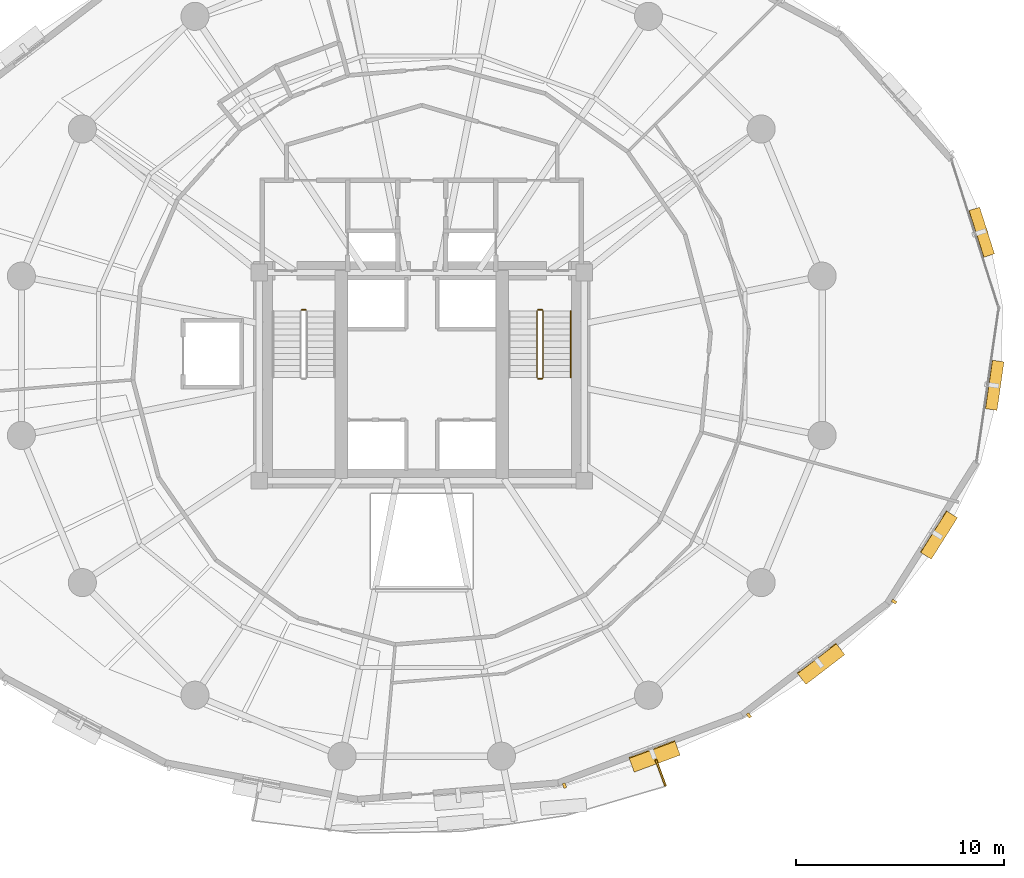
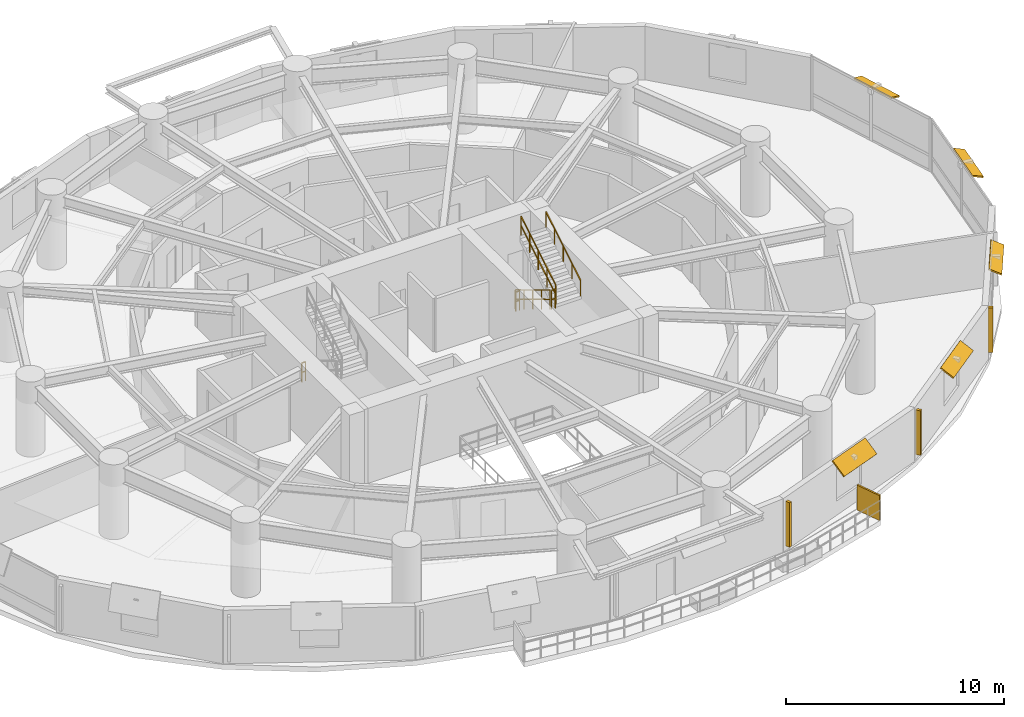
# One storey, part 15 of 16: 9 shading devices, 6 railings.
"""IFC4 building model written with IfcOpenShell, lengths in metres."""

from ifc_helpers import new_model, si_unit, direction, frame, origin, origin_2d, place, context, subcontext, project, spatial, rectangle, extrude, material, layer, layer_set, type_object, element, save


model = new_model("IFC4")

# Units and contexts
model_context = context("Model", 3, precision=1e-05, world=origin(), true_north=direction((0.0, 1.0)))
body_context = subcontext(model_context, "Body", "Model", "MODEL_VIEW")
ifc_project = project(units=[si_unit("LENGTHUNIT", "METRE"), si_unit("AREAUNIT", "SQUARE_METRE"), si_unit("VOLUMEUNIT", "CUBIC_METRE"), si_unit("PLANEANGLEUNIT", "RADIAN"), si_unit("MASSUNIT", "GRAM", prefix="KILO"), si_unit("THERMODYNAMICTEMPERATUREUNIT", "KELVIN"), si_unit("POWERUNIT", "WATT")], contexts=[model_context])

# Site, building, storey
site_placement = place(None, origin())
site = spatial("IfcSite", under=ifc_project, at=site_placement, CompositionType="ELEMENT")
building_placement = place(site_placement, origin())
building = spatial("IfcBuilding", under=site, at=building_placement, Name="Ocrelia Relay Tower", CompositionType="ELEMENT")
storey_placement = place(building_placement, frame((0.0, 0.0, 51.0)))
storey = spatial("IfcBuildingStorey", under=building, at=storey_placement, Name="L11", CompositionType="ELEMENT", Elevation=51.0)

# Railings
ifc_material_1 = material(Name="Steel S355 balustrade", Category="steel")
railing_type_1 = type_object("IfcRailingType", Name="RL-STAIR-GUARD", PredefinedType="GUARDRAIL", material=ifc_material_1)
railing_1_placement = place(storey_placement, frame((28.22998046875, 28.199951171875, 0.0)))
element("IfcRailing", 1, at=railing_1_placement, inside=storey, type_object=railing_type_1, Name="L11 ST1 stair guard 4", PredefinedType="GUARDRAIL", context=body_context, shape_type="SweptSolid", body=[
    extrude(rectangle(XDim=0.048095703125, YDim=0.048095703125, at=origin_2d()), frame((0.0, 0.0, 1.076171875), z_axis=(1.0, 0.0, 0.0), x_axis=(0.0, 1.0, 0.0)), (0.0, 0.0, 1.0), 0.199951171875),
    extrude(rectangle(XDim=0.048095703125, YDim=0.048095703125, at=origin_2d()), frame((0.0, 0.0, 0.550048828125), z_axis=(1.0, 0.0, 0.0), x_axis=(0.0, 1.0, 0.0)), (0.0, 0.0, 1.0), 0.199951171875),
    extrude(rectangle(XDim=0.0419921875, YDim=0.0419921875, at=origin_2d()), origin(), (0.0, 0.0, 1.0), 1.052001953125),
    extrude(rectangle(XDim=0.0419921875, YDim=0.0419921875, at=origin_2d()), frame((0.199951171875, 0.0, 0.0)), (0.0, 0.0, 1.0), 1.052001953125),
])
railing_2_placement = place(storey_placement, frame((39.530029296875, 28.14990234375, 0.175048828125)))
element("IfcRailing", 2, at=railing_2_placement, inside=storey, type_object=railing_type_1, Name="L11 ST2 stair guard 1", PredefinedType="GUARDRAIL", context=body_context, shape_type="SweptSolid", body=[
    extrude(rectangle(XDim=0.048095703125, YDim=0.048095703125, at=origin_2d()), frame((0.0, 0.0, 1.076171875), z_axis=(0.0, -0.856177665481, 0.516681531633), x_axis=(1.0, 0.0, 0.0)), (0.0, 0.0, 1.0), 3.725830078125),
    extrude(rectangle(XDim=0.048095703125, YDim=0.048095703125, at=origin_2d()), frame((0.0, 0.0, 0.550048828125), z_axis=(0.0, -0.856177665481, 0.516681531633), x_axis=(1.0, 0.0, 0.0)), (0.0, 0.0, 1.0), 3.725830078125),
    extrude(rectangle(XDim=0.0419921875, YDim=0.0419921875, at=origin_2d()), origin(), (0.0, 0.0, 1.0), 1.052001953125),
    extrude(rectangle(XDim=0.0419921875, YDim=0.0419921875, at=origin_2d()), frame((0.0, -0.79736328125, 0.481201171875)), (0.0, 0.0, 1.0), 1.052001953125),
    extrude(rectangle(XDim=0.0419921875, YDim=0.0419921875, at=origin_2d()), frame((0.0, -1.594970703125, 0.96240234375)), (0.0, 0.0, 1.0), 1.052001953125),
    extrude(rectangle(XDim=0.0419921875, YDim=0.0419921875, at=origin_2d()), frame((0.0, -2.392578125, 1.44384765625)), (0.0, 0.0, 1.0), 1.052001953125),
    extrude(rectangle(XDim=0.0419921875, YDim=0.0419921875, at=origin_2d()), frame((0.0, -3.18994140625, 1.925048828125)), (0.0, 0.0, 1.0), 1.052001953125),
])
railing_3_placement = place(storey_placement, frame((39.580078125, 24.909912109375, 2.10009765625)))
element("IfcRailing", 3, at=railing_3_placement, inside=storey, type_object=railing_type_1, Name="L11 ST2 stair guard 2", PredefinedType="GUARDRAIL", context=body_context, shape_type="SweptSolid", body=[
    extrude(rectangle(XDim=0.048095703125, YDim=0.048095703125, at=origin_2d()), frame((0.0, 0.0, 1.076171875), z_axis=(1.0, 0.0, 0.0), x_axis=(0.0, 1.0, 0.0)), (0.0, 0.0, 1.0), 0.199951171875),
    extrude(rectangle(XDim=0.048095703125, YDim=0.048095703125, at=origin_2d()), frame((0.0, 0.0, 0.550048828125), z_axis=(1.0, 0.0, 0.0), x_axis=(0.0, 1.0, 0.0)), (0.0, 0.0, 1.0), 0.199951171875),
    extrude(rectangle(XDim=0.0419921875, YDim=0.0419921875, at=origin_2d()), origin(), (0.0, 0.0, 1.0), 1.052001953125),
    extrude(rectangle(XDim=0.0419921875, YDim=0.0419921875, at=origin_2d()), frame((0.199951171875, 0.0, 0.0)), (0.0, 0.0, 1.0), 1.052001953125),
])
railing_4_placement = place(storey_placement, frame((39.830078125, 24.9599609375, 2.27490234375)))
element("IfcRailing", 4, at=railing_4_placement, inside=storey, type_object=railing_type_1, Name="L11 ST2 stair guard 3", PredefinedType="GUARDRAIL", context=body_context, shape_type="SweptSolid", body=[
    extrude(rectangle(XDim=0.048095703125, YDim=0.048095703125, at=origin_2d()), frame((0.0, 0.0, 1.076171875), z_axis=(0.0, 0.856177665481, 0.516681531633), x_axis=(-1.0, 0.0, 0.0)), (0.0, 0.0, 1.0), 3.725830078125),
    extrude(rectangle(XDim=0.048095703125, YDim=0.048095703125, at=origin_2d()), frame((0.0, 0.0, 0.550048828125), z_axis=(0.0, 0.856177665481, 0.516681531633), x_axis=(-1.0, 0.0, 0.0)), (0.0, 0.0, 1.0), 3.725830078125),
    extrude(rectangle(XDim=0.0419921875, YDim=0.0419921875, at=origin_2d()), origin(), (0.0, 0.0, 1.0), 1.052001953125),
    extrude(rectangle(XDim=0.0419921875, YDim=0.0419921875, at=origin_2d()), frame((0.0, 0.79736328125, 0.481201171875)), (0.0, 0.0, 1.0), 1.052001953125),
    extrude(rectangle(XDim=0.0419921875, YDim=0.0419921875, at=origin_2d()), frame((0.0, 1.594970703125, 0.96240234375)), (0.0, 0.0, 1.0), 1.052001953125),
    extrude(rectangle(XDim=0.0419921875, YDim=0.0419921875, at=origin_2d()), frame((0.0, 2.392578125, 1.44384765625)), (0.0, 0.0, 1.0), 1.052001953125),
    extrude(rectangle(XDim=0.0419921875, YDim=0.0419921875, at=origin_2d()), frame((0.0, 3.18994140625, 1.925048828125)), (0.0, 0.0, 1.0), 1.052001953125),
])
railing_5_placement = place(storey_placement, frame((39.580078125, 28.199951171875, 0.0)))
element("IfcRailing", 5, at=railing_5_placement, inside=storey, type_object=railing_type_1, Name="L11 ST2 stair guard 4", PredefinedType="GUARDRAIL", context=body_context, shape_type="SweptSolid", body=[
    extrude(rectangle(XDim=0.048095703125, YDim=0.048095703125, at=origin_2d()), frame((0.0, 0.0, 1.076171875), z_axis=(1.0, 0.0, 0.0), x_axis=(0.0, 1.0, 0.0)), (0.0, 0.0, 1.0), 0.199951171875),
    extrude(rectangle(XDim=0.048095703125, YDim=0.048095703125, at=origin_2d()), frame((0.0, 0.0, 0.550048828125), z_axis=(1.0, 0.0, 0.0), x_axis=(0.0, 1.0, 0.0)), (0.0, 0.0, 1.0), 0.199951171875),
    extrude(rectangle(XDim=0.0419921875, YDim=0.0419921875, at=origin_2d()), origin(), (0.0, 0.0, 1.0), 1.052001953125),
    extrude(rectangle(XDim=0.0419921875, YDim=0.0419921875, at=origin_2d()), frame((0.199951171875, 0.0, 0.0)), (0.0, 0.0, 1.0), 1.052001953125),
])
ifc_material_2 = material(Name="Steel S355 tubular handrail", Category="steel")
railing_type_2 = type_object("IfcRailingType", Name="RL-STAIR-HAND", PredefinedType="HANDRAIL", material=ifc_material_2)
railing_6_placement = place(storey_placement, frame((41.14990234375, 24.9599609375, 2.27490234375)))
element("IfcRailing", 6, at=railing_6_placement, inside=storey, type_object=railing_type_2, Name="L11 ST2 stair handrail 2", PredefinedType="HANDRAIL", context=body_context, shape_type="SweptSolid", body=[
    extrude(rectangle(XDim=0.048095703125, YDim=0.048095703125, at=origin_2d()), frame((0.0, 0.0, 0.8759765625), z_axis=(0.0, 0.856177665481, 0.516681531633), x_axis=(-1.0, 0.0, 0.0)), (0.0, 0.0, 1.0), 3.725830078125),
    extrude(rectangle(XDim=0.0419921875, YDim=0.0419921875, at=origin_2d()), origin(), (0.0, 0.0, 1.0), 0.851806640625),
    extrude(rectangle(XDim=0.0419921875, YDim=0.0419921875, at=origin_2d()), frame((0.0, 0.79736328125, 0.481201171875)), (0.0, 0.0, 1.0), 0.851806640625),
    extrude(rectangle(XDim=0.0419921875, YDim=0.0419921875, at=origin_2d()), frame((0.0, 1.594970703125, 0.96240234375)), (0.0, 0.0, 1.0), 0.851806640625),
    extrude(rectangle(XDim=0.0419921875, YDim=0.0419921875, at=origin_2d()), frame((0.0, 2.392578125, 1.44384765625)), (0.0, 0.0, 1.0), 0.851806640625),
    extrude(rectangle(XDim=0.0419921875, YDim=0.0419921875, at=origin_2d()), frame((0.0, 3.18994140625, 1.925048828125)), (0.0, 0.0, 1.0), 0.851806640625),
])

# Shading devices
ifc_material_3 = material(Name="Perforated oxide terracotta solar screen", Category="masonry")
ifc_layer_1 = layer(ifc_material_3, 0.090087890625, Name="Perforated oxide terracotta solar screen")
ifc_layer_set_1 = layer_set([ifc_layer_1], Name="Perforated oxide terracotta solar screen")
shading_device_type_1 = type_object("IfcShadingDeviceType", Name="SH-BALC-SCREEN", PredefinedType="USERDEFINED", material=ifc_layer_set_1)
shading_device_1_placement = place(storey_placement, frame((45.47021484375, 5.977783203125, 0.0), z_axis=(0.0, 0.0, 1.0), x_axis=(0.348786488162, -0.937202211732, 0.0)))
element("IfcShadingDevice", 7, at=shading_device_1_placement, inside=storey, type_object=shading_device_type_1, Name="L11 Balcony Perforated Terracotta Screen B2-2", ObjectType="SCREEN", PredefinedType="USERDEFINED", context=body_context, shape_type="SweptSolid", body=[
    extrude(rectangle(XDim=1.340087890625, YDim=0.090087890625, at=origin_2d()), origin(), (0.0, 0.0, 1.0), 1.39990234375),
])
ifc_material_4 = material(Name="Extruded oxide terracotta vertical baguette", Category="masonry")
shading_device_type_2 = type_object("IfcShadingDeviceType", Name="SH-TERR-BAGUETTE", PredefinedType="USERDEFINED", material=ifc_material_4)
for number, where, z_axis, x_axis, name in (
    (8, (40.852783203125, 5.363037109375, 0.25), (0.0, 0.0, 1.0), (0.937695984338, 0.347456818838, 0.0), "L11 Oxide Terracotta Vertical Baguette 15"),
    (9, (49.710205078125, 8.731689453125, 0.25), (0.0, 0.0, 1.0), (0.793488644181, 0.608585056961, 0.0), "L11 Oxide Terracotta Vertical Baguette 16"),
    (10, (56.67919921875, 14.19921875, 0.25), (0.0, 0.0, 1.0), (0.533601290202, 0.845736166363, 0.0), "L11 Oxide Terracotta Vertical Baguette 17"),
):
    element("IfcShadingDevice", number, at=place(storey_placement, frame(where, z_axis=z_axis, x_axis=x_axis)), inside=storey, type_object=shading_device_type_2, Name=name, ObjectType="BAGUETTE", PredefinedType="USERDEFINED", context=body_context, shape_type="SweptSolid", body=[
        extrude(rectangle(XDim=0.139892578125, YDim=0.239990234375, at=origin_2d()), origin(), (0.0, 0.0, 1.0), 2.5),
    ])
ifc_material_5 = material(Name="Extruded oxide terracotta fin", Category="masonry")
ifc_layer_2 = layer(ifc_material_5, 0.080078125, Name="Extruded oxide terracotta fin")
ifc_layer_set_2 = layer_set([ifc_layer_2], Name="Extruded oxide terracotta fin")
shading_device_type_3 = type_object("IfcShadingDeviceType", Name="SH-VISOR-FIN-MED", PredefinedType="USERDEFINED", material=ifc_layer_set_2)
shading_device_2_placement = place(storey_placement, frame((45.163818359375, 6.79638671875, 2.809326171875), z_axis=(0.222596788685, -0.600731093939, 0.767836455531), x_axis=(0.937695984338, 0.347456818838, 0.0)))
element("IfcShadingDevice", 11, at=shading_device_2_placement, inside=storey, type_object=shading_device_type_3, Name="L11 Canted Terracotta Sun-Visor Fin 15", ObjectType="FIN", PredefinedType="USERDEFINED", context=body_context, shape_type="SweptSolid", body=[
    extrude(rectangle(XDim=2.35009765625, YDim=0.9140625, at=origin_2d()), origin(), (0.0, 0.0, 1.0), 0.080078125),
])
ifc_layer_3 = layer(ifc_material_5, 0.080078125, Name="Extruded oxide terracotta fin")
ifc_layer_set_3 = layer_set([ifc_layer_3], Name="Extruded oxide terracotta fin")
shading_device_type_4 = type_object("IfcShadingDeviceType", Name="SH-VISOR-FIN-SHAL", PredefinedType="USERDEFINED", material=ifc_layer_set_3)
shading_device_3_placement = place(storey_placement, frame((60.86474609375, 31.927001953125, 2.80224609375), z_axis=(0.303370574394, 0.096876140791, 0.947935286788), x_axis=(-0.304199031476, 0.952608497363, 0.0)))
element("IfcShadingDevice", 12, at=shading_device_3_placement, inside=storey, type_object=shading_device_type_4, Name="L11 Canted Terracotta Sun-Visor Fin 01", ObjectType="FIN", PredefinedType="USERDEFINED", context=body_context, shape_type="SweptSolid", body=[
    extrude(rectangle(XDim=2.35009765625, YDim=0.56005859375, at=origin_2d()), origin(), (0.0, 0.0, 1.0), 0.080078125),
])
shading_device_4_placement = place(storey_placement, frame((53.15234375, 11.231201171875, 2.8056640625), z_axis=(0.313171293078, -0.408320680731, 0.857436856497), x_axis=(0.793488644181, 0.608585056961, 0.0)))
element("IfcShadingDevice", 13, at=shading_device_4_placement, inside=storey, type_object=shading_device_type_4, Name="L11 Canted Terracotta Sun-Visor Fin 16", ObjectType="FIN", PredefinedType="USERDEFINED", context=body_context, shape_type="SweptSolid", body=[
    extrude(rectangle(XDim=2.35009765625, YDim=0.76611328125, at=origin_2d()), origin(), (0.0, 0.0, 1.0), 0.080078125),
])
shading_device_5_placement = place(storey_placement, frame((58.809326171875, 17.406982421875, 2.8037109375), z_axis=(0.35434375972, -0.223566515045, 0.907996978683), x_axis=(0.533601290202, 0.845736166363, 0.0)))
element("IfcShadingDevice", 14, at=shading_device_5_placement, inside=storey, type_object=shading_device_type_4, Name="L11 Canted Terracotta Sun-Visor Fin 17", ObjectType="FIN", PredefinedType="USERDEFINED", context=body_context, shape_type="SweptSolid", body=[
    extrude(rectangle(XDim=2.35009765625, YDim=0.6630859375, at=origin_2d()), origin(), (0.0, 0.0, 1.0), 0.080078125),
])
shading_device_6_placement = place(storey_placement, frame((61.4833984375, 24.587646484375, 2.802734375), z_axis=(0.351467692906, -0.050709127328, 0.934825676396), x_axis=(0.14279958631, 0.989751624474, 0.0)))
element("IfcShadingDevice", 15, at=shading_device_6_placement, inside=storey, type_object=shading_device_type_4, Name="L11 Canted Terracotta Sun-Visor Fin 18", ObjectType="FIN", PredefinedType="USERDEFINED", context=body_context, shape_type="SweptSolid", body=[
    extrude(rectangle(XDim=2.35009765625, YDim=0.596923828125, at=origin_2d()), origin(), (0.0, 0.0, 1.0), 0.080078125),
])

save(model, "model.ifc")
